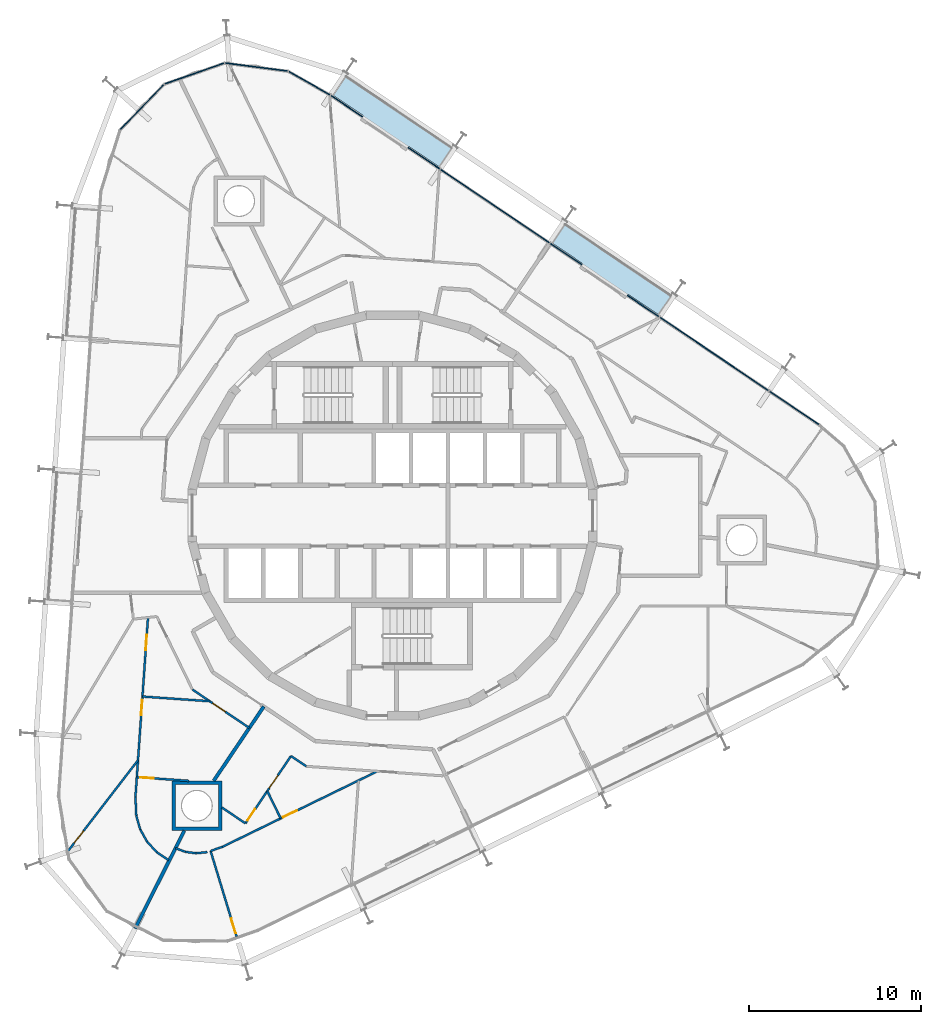
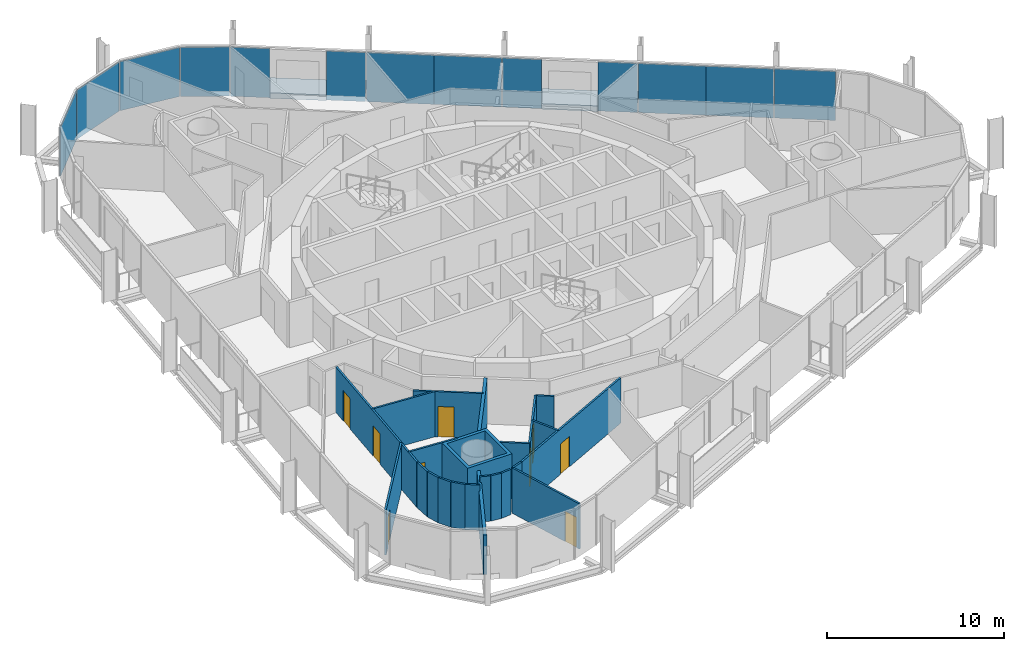
# One storey, part 11 of 18: 23 walls, 13 plates, 9 doors, 2 slabs, 9 openings, 3 elements without a shape of their own.
"""IFC4 building model written with IfcOpenShell, lengths in metres."""

from ifc_helpers import new_model, si_unit, direction, frame, frame_2d, origin, origin_2d, place, context, subcontext, project, spatial, polyline, rectangle, outline, extrude, material, layer, layer_set, type_object, element, fill, aggregate, save


model = new_model("IFC4")

# Units and contexts
model_context = context("Model", 3, precision=1e-05, world=origin(), true_north=direction((0.0, 1.0)))
body_context = subcontext(model_context, "Body", "Model", "MODEL_VIEW")
ifc_project = project(units=[si_unit("LENGTHUNIT", "METRE"), si_unit("AREAUNIT", "SQUARE_METRE"), si_unit("VOLUMEUNIT", "CUBIC_METRE"), si_unit("PLANEANGLEUNIT", "RADIAN"), si_unit("MASSUNIT", "GRAM", prefix="KILO")], contexts=[model_context])

# Site, building, storey
site_placement = place(None, origin())
site = spatial("IfcSite", under=ifc_project, at=site_placement, CompositionType="ELEMENT")
building_placement = place(site_placement, origin())
building = spatial("IfcBuilding", under=site, at=building_placement, Name="Spindle Arch Residences", CompositionType="ELEMENT")
storey_placement = place(building_placement, frame((0.0, 0.0, 195.39990234375)))
storey = spatial("IfcBuildingStorey", under=building, at=storey_placement, Name="L49", CompositionType="ELEMENT", Elevation=195.39990234375)

# Slabs
ifc_material_1 = material(Name="Concrete C40/50", Category="concrete")
ifc_layer_1 = layer(ifc_material_1, 0.3798828125)
ifc_layer_set_1 = layer_set([ifc_layer_1], Name="Balcony slab 380")
slab_type = type_object("IfcSlabType", Name="Balcony slab 380", PredefinedType="FLOOR", material=ifc_layer_set_1)
slab_1_placement = place(storey_placement, frame((0.0, 0.0, -0.3798828125)))
element("IfcSlab", 1, at=slab_1_placement, inside=storey, type_object=slab_type, Name="Balcony L49 bay 7", PredefinedType="FLOOR", context=body_context, shape_type="SweptSolid", body=[
    extrude(outline(polyline([(16.34228515625, 12.897216796875), (16.2802734375, 12.939208984375), (16.1962890625, 12.814697265625), (10.066650390625, 16.94921875), (10.150634765625, 17.07373046875), (10.08837890625, 17.115478515625), (9.255126953125, 15.88037109375), (11.0556640625, 14.665771484375), (10.96630859375, 14.533203125), (13.619140625, 12.74365234375), (13.70849609375, 12.87646484375), (15.50927734375, 11.661865234375), (16.34228515625, 12.897216796875)])), origin(), (0.0, 0.0, 1.0), 0.3798828125),
])
slab_2_placement = place(storey_placement, frame((0.0, 0.0, -0.3798828125)))
element("IfcSlab", 2, at=slab_2_placement, inside=storey, type_object=slab_type, Name="Balcony L49 bay 9", PredefinedType="FLOOR", context=body_context, shape_type="SweptSolid", body=[
    extrude(outline(polyline([(3.585693359375, 21.501708984375), (3.5234375, 21.543701171875), (3.439453125, 21.419189453125), (-2.690185546875, 25.5537109375), (-2.606201171875, 25.67822265625), (-2.66845703125, 25.719970703125), (-3.501708984375, 24.48486328125), (-1.701171875, 23.270263671875), (-1.79052734375, 23.1376953125), (0.8623046875, 21.348388671875), (0.951904296875, 21.48095703125), (2.75244140625, 20.266357421875), (3.585693359375, 21.501708984375)])), origin(), (0.0, 0.0, 1.0), 0.3798828125),
])

# Curtain wall, plate
ifc_material_2 = material(Name="Aluminium bronze unitised frame with tinted glass", Category="aluminium")
ifc_layer_2 = layer(ifc_material_2, 0.159912109375)
ifc_layer_set_2 = layer_set([ifc_layer_2], Name="CW-D corner wall on the fillet arcs")
curtain_wall_type_1 = type_object("IfcCurtainWallType", Name="CW-D corner wall on the fillet arcs", PredefinedType="NOTDEFINED", material=ifc_layer_set_2)
curtain_wall_1_placement = place(storey_placement, origin())
curtain_wall_1 = element("IfcCurtainWall", 3, at=curtain_wall_1_placement, inside=storey, type_object=curtain_wall_type_1, Name="CW-D L49 run 1", PredefinedType="NOTDEFINED")
ifc_material_3 = material(Name="Tinted double glazing over aluminium faced non-combustible spandrel zone (K0)", Category="aluminium")
ifc_layer_3 = layer(ifc_material_3, 0.06005859375)
ifc_layer_set_3 = layer_set([ifc_layer_3], Name="Unitised glass panel with E 60 spandrel zone")
plate_type = type_object("IfcPlateType", Name="Unitised glass panel with E 60 spandrel zone", PredefinedType="CURTAIN_PANEL", material=ifc_layer_set_3)
plate_1_placement = place(storey_placement, frame((23.36767578125, 6.264892578125, -0.3798828125), z_axis=(0.0, 0.0, 1.0), x_axis=(-0.829037572555, 0.559192903471, 0.0)))
plate_1 = element("IfcPlate", 4, at=plate_1_placement, type_object=plate_type, Name="CW-D unit 06", PredefinedType="CURTAIN_PANEL", context=body_context, shape_type="SweptSolid", body=[
    extrude(rectangle(XDim=3.468505859375, YDim=0.06005859375, at=origin_2d()), origin(), (0.0, 0.0, 1.0), 3.3798828125),
])
aggregate(curtain_wall_1, [plate_1])

# Curtain wall, plates
ifc_material_4 = material(Name="Aluminium bronze unitised frame with tinted glass", Category="aluminium")
ifc_layer_4 = layer(ifc_material_4, 0.159912109375)
ifc_layer_set_4 = layer_set([ifc_layer_4], Name="CW-C typical residential unitised wall")
curtain_wall_type_2 = type_object("IfcCurtainWallType", Name="CW-C typical residential unitised wall", PredefinedType="NOTDEFINED", material=ifc_layer_set_4)
curtain_wall_2_placement = place(storey_placement, origin())
curtain_wall_2 = element("IfcCurtainWall", 5, at=curtain_wall_2_placement, inside=storey, type_object=curtain_wall_type_2, Name="CW-C L49 run 2", PredefinedType="NOTDEFINED")
plate_2_placement = place(storey_placement, frame((20.2978515625, 8.335205078125, -0.3798828125), z_axis=(0.0, 0.0, 1.0), x_axis=(-0.829037572555, 0.559192903471, 0.0)))
plate_2 = element("IfcPlate", 6, at=plate_2_placement, type_object=plate_type, Name="CW-C unit 05A", PredefinedType="CURTAIN_PANEL", context=body_context, shape_type="SweptSolid", body=[
    extrude(rectangle(XDim=3.81689453125, YDim=0.06005859375, at=origin_2d()), origin(), (0.0, 0.0, 1.0), 3.3798828125),
])
plate_3_placement = place(storey_placement, frame((17.133544921875, 10.4697265625, -0.3798828125), z_axis=(0.0, 0.0, 1.0), x_axis=(-0.829037572555, 0.559192903471, 0.0)))
plate_3 = element("IfcPlate", 7, at=plate_3_placement, type_object=plate_type, Name="CW-C unit 05B", PredefinedType="CURTAIN_PANEL", context=body_context, shape_type="SweptSolid", body=[
    extrude(rectangle(XDim=3.81689453125, YDim=0.06005859375, at=origin_2d()), origin(), (0.0, 0.0, 1.0), 3.3798828125),
])
plate_4_placement = place(storey_placement, frame((14.582763671875, 12.190185546875, -0.3798828125), z_axis=(0.0, 0.0, 1.0), x_axis=(-0.829037572555, 0.559192903471, 0.0)))
plate_4 = element("IfcPlate", 8, at=plate_4_placement, type_object=plate_type, Name="CW-C unit 06L", PredefinedType="CURTAIN_PANEL", context=body_context, shape_type="SweptSolid", body=[
    extrude(rectangle(XDim=2.216796875, YDim=0.06005859375, at=origin_2d()), origin(), (0.0, 0.0, 1.0), 3.3798828125),
])
plate_5_placement = place(storey_placement, frame((10.092041015625, 15.21923828125, -0.3798828125), z_axis=(0.0, 0.0, 1.0), x_axis=(-0.829037572555, 0.559192903471, 0.0)))
plate_5 = element("IfcPlate", 9, at=plate_5_placement, type_object=plate_type, Name="CW-C unit 06R", PredefinedType="CURTAIN_PANEL", context=body_context, shape_type="SweptSolid", body=[
    extrude(rectangle(XDim=2.216796875, YDim=0.06005859375, at=origin_2d()), origin(), (0.0, 0.0, 1.0), 3.3798828125),
])
plate_6_placement = place(storey_placement, frame((7.541259765625, 16.93994140625, -0.3798828125), z_axis=(0.0, 0.0, 1.0), x_axis=(-0.829037572555, 0.559192903471, 0.0)))
plate_6 = element("IfcPlate", 10, at=plate_6_placement, type_object=plate_type, Name="CW-C unit 07A", PredefinedType="CURTAIN_PANEL", context=body_context, shape_type="SweptSolid", body=[
    extrude(rectangle(XDim=3.81689453125, YDim=0.06005859375, at=origin_2d()), origin(), (0.0, 0.0, 1.0), 3.3798828125),
])
plate_7_placement = place(storey_placement, frame((4.376953125, 19.07421875, -0.3798828125), z_axis=(0.0, 0.0, 1.0), x_axis=(-0.829037572555, 0.559192903471, 0.0)))
plate_7 = element("IfcPlate", 11, at=plate_7_placement, type_object=plate_type, Name="CW-C unit 07B", PredefinedType="CURTAIN_PANEL", context=body_context, shape_type="SweptSolid", body=[
    extrude(rectangle(XDim=3.81689453125, YDim=0.06005859375, at=origin_2d()), origin(), (0.0, 0.0, 1.0), 3.3798828125),
])
plate_8_placement = place(storey_placement, frame((1.825927734375, 20.794677734375, -0.3798828125), z_axis=(0.0, 0.0, 1.0), x_axis=(-0.829037572555, 0.559192903471, 0.0)))
plate_8 = element("IfcPlate", 12, at=plate_8_placement, type_object=plate_type, Name="CW-C unit 08L", PredefinedType="CURTAIN_PANEL", context=body_context, shape_type="SweptSolid", body=[
    extrude(rectangle(XDim=2.216796875, YDim=0.06005859375, at=origin_2d()), origin(), (0.0, 0.0, 1.0), 3.3798828125),
])
plate_9_placement = place(storey_placement, frame((-2.664794921875, 23.82373046875, -0.3798828125), z_axis=(0.0, 0.0, 1.0), x_axis=(-0.829037572555, 0.559192903471, 0.0)))
plate_9 = element("IfcPlate", 13, at=plate_9_placement, type_object=plate_type, Name="CW-C unit 08R", PredefinedType="CURTAIN_PANEL", context=body_context, shape_type="SweptSolid", body=[
    extrude(rectangle(XDim=2.216796875, YDim=0.06005859375, at=origin_2d()), origin(), (0.0, 0.0, 1.0), 3.3798828125),
])
aggregate(curtain_wall_2, [plate_2, plate_3, plate_4, plate_5, plate_6, plate_7, plate_8, plate_9])

curtain_wall_3_placement = place(storey_placement, origin())
curtain_wall_3 = element("IfcCurtainWall", 14, at=curtain_wall_3_placement, inside=storey, type_object=curtain_wall_type_1, Name="CW-D L49 run 3", PredefinedType="NOTDEFINED")
plate_10_placement = place(storey_placement, frame((-4.84130859375, 25.16064453125, -0.3798828125), z_axis=(0.0, 0.0, 1.0), x_axis=(-0.86953871595, 0.493864780547, 0.0)))
plate_10 = element("IfcPlate", 15, at=plate_10_placement, type_object=plate_type, Name="CW-D unit 00", PredefinedType="CURTAIN_PANEL", context=body_context, shape_type="SweptSolid", body=[
    extrude(rectangle(XDim=2.775634765625, YDim=0.06005859375, at=origin_2d()), origin(), (0.0, 0.0, 1.0), 3.3798828125),
])
plate_11_placement = place(storey_placement, frame((-7.92236328125, 26.0986328125, -0.3798828125), z_axis=(0.0, 0.0, 1.0), x_axis=(-0.991820351023, 0.127641651888, 0.0)))
plate_11 = element("IfcPlate", 16, at=plate_11_placement, type_object=plate_type, Name="CW-D unit 01", PredefinedType="CURTAIN_PANEL", context=body_context, shape_type="SweptSolid", body=[
    extrude(rectangle(XDim=3.666748046875, YDim=0.06005859375, at=origin_2d()), origin(), (0.0, 0.0, 1.0), 3.3798828125),
])
plate_12_placement = place(storey_placement, frame((-11.52880859375, 25.7197265625, -0.3798828125), z_axis=(0.0, 0.0, 1.0), x_axis=(-0.943608508302, -0.331063412445, 0.0)))
plate_12 = element("IfcPlate", 17, at=plate_12_placement, type_object=plate_type, Name="CW-D unit 02", PredefinedType="CURTAIN_PANEL", context=body_context, shape_type="SweptSolid", body=[
    extrude(rectangle(XDim=3.666748046875, YDim=0.06005859375, at=origin_2d()), origin(), (0.0, 0.0, 1.0), 3.3798828125),
])
plate_13_placement = place(storey_placement, frame((-14.58154296875, 23.762451171875, -0.3798828125), z_axis=(0.0, 0.0, 1.0), x_axis=(-0.694658368802, -0.719339801939, 0.0)))
plate_13 = element("IfcPlate", 18, at=plate_13_placement, type_object=plate_type, Name="CW-D unit 03", PredefinedType="CURTAIN_PANEL", context=body_context, shape_type="SweptSolid", body=[
    extrude(rectangle(XDim=3.666748046875, YDim=0.06005859375, at=origin_2d()), origin(), (0.0, 0.0, 1.0), 3.3798828125),
])
aggregate(curtain_wall_3, [plate_10, plate_11, plate_12, plate_13])

# Wall, opening, door
ifc_material_5 = material(Name="Plasterboard on steel studs", Category="steel")
ifc_layer_5 = layer(ifc_material_5, 0.1201171875)
ifc_layer_set_5 = layer_set([ifc_layer_5], Name="Flat partition 120")
wall_type_1 = type_object("IfcWallType", Name="Flat partition 120", PredefinedType="PARTITIONING", material=ifc_layer_set_5)
wall_1_placement = place(storey_placement, frame((-11.641845703125, -10.1201171875, 0.0), z_axis=(0.0, 0.0, 1.0), x_axis=(0.829018066952, -0.559221820629, 0.0)))
wall_1 = element("IfcWall", 19, at=wall_1_placement, inside=storey, type_object=wall_type_1, Name="Flat partition R5A0-W074", PredefinedType="PARTITIONING", context=body_context, shape_type="SweptSolid", body=[
    extrude(rectangle(XDim=3.992431640625, YDim=0.1201171875, at=frame_2d((1.99609375, 0.0))), origin(), (0.0, 0.0, 1.0), 3.1201171875),
])
opening_1_placement = place(wall_1_placement, frame((1.4169921875, 0.0, 0.0)))
opening_1 = element("IfcOpeningElement", 20, at=opening_1_placement, cuts=wall_1, Name="Opening R5A0-ID16", PredefinedType="OPENING", context=body_context, shape_type="SweptSolid", body=[
    extrude(rectangle(XDim=0.89990234375, YDim=2.10009765625, at=frame_2d((0.449951171875, 1.050048828125))), frame((0.0, 0.070068359375, 0.0), z_axis=(0.0, -1.0, 0.0), x_axis=(1.0, 0.0, 0.0)), (0.0, 0.0, 1.0), 0.14013671875),
])
ifc_material_6 = material(Name="Timber door set", Category="wood")
door_type_1 = type_object("IfcDoorType", Name="Room door 900x2100", OperationType="NOTDEFINED", PredefinedType="DOOR", material=ifc_material_6)
door_1_placement = place(opening_1_placement, origin())
door_1 = element("IfcDoor", 21, at=door_1_placement, inside=storey, type_object=door_type_1, Name="Room door R5A0-ID16", OperationType="SINGLE_SWING_RIGHT", OverallHeight=2.10009765625, OverallWidth=0.89990234375, PredefinedType="DOOR", context=body_context, shape_type="SweptSolid", body=[
    extrude(rectangle(XDim=0.89990234375, YDim=2.10009765625, at=frame_2d((0.449951171875, 1.050048828125))), frame((0.0, 0.02490234375, 0.0), z_axis=(0.0, -1.0, 0.0), x_axis=(1.0, 0.0, 0.0)), (0.0, 0.0, 1.0), 0.050048828125),
])
fill(opening_1, door_1)

# Wall, openings, doors
wall_2_placement = place(storey_placement, frame((-14.22900390625, -5.9287109375, 0.0), z_axis=(0.0, 0.0, 1.0), x_axis=(-0.069740723375, -0.997565151508, 0.0)))
wall_2 = element("IfcWall", 22, at=wall_2_placement, inside=storey, type_object=wall_type_1, Name="Flat partition R5A0-W076", PredefinedType="PARTITIONING", context=body_context, shape_type="SweptSolid", body=[
    extrude(rectangle(XDim=10.470458984375, YDim=0.1201171875, at=frame_2d((5.2353515625, 0.0))), origin(), (0.0, 0.0, 1.0), 3.1201171875),
])
opening_2_placement = place(wall_2_placement, frame((4.809326171875, 0.0, 0.0)))
opening_2 = element("IfcOpeningElement", 23, at=opening_2_placement, cuts=wall_2, Name="Opening R5A0-ID17", PredefinedType="OPENING", context=body_context, shape_type="SweptSolid", body=[
    extrude(rectangle(XDim=0.89990234375, YDim=2.10009765625, at=frame_2d((0.449951171875, 1.050048828125))), frame((0.0, 0.070068359375, 0.0), z_axis=(0.0, -1.0, 0.0), x_axis=(1.0, 0.0, 0.0)), (0.0, 0.0, 1.0), 0.14013671875),
])
opening_3_placement = place(wall_2_placement, frame((1.0, 0.0, 0.0)))
opening_3 = element("IfcOpeningElement", 24, at=opening_3_placement, cuts=wall_2, Name="Opening R5A0-ID19", PredefinedType="OPENING", context=body_context, shape_type="SweptSolid", body=[
    extrude(rectangle(XDim=0.89990234375, YDim=2.10009765625, at=frame_2d((0.449951171875, 1.050048828125))), frame((0.0, 0.070068359375, 0.0), z_axis=(0.0, -1.0, 0.0), x_axis=(1.0, 0.0, 0.0)), (0.0, 0.0, 1.0), 0.14013671875),
])
door_2_placement = place(opening_2_placement, origin())
door_2 = element("IfcDoor", 25, at=door_2_placement, inside=storey, type_object=door_type_1, Name="Room door R5A0-ID17", OperationType="SINGLE_SWING_RIGHT", OverallHeight=2.10009765625, OverallWidth=0.89990234375, PredefinedType="DOOR", context=body_context, shape_type="SweptSolid", body=[
    extrude(rectangle(XDim=0.89990234375, YDim=2.10009765625, at=frame_2d((0.449951171875, 1.050048828125))), frame((0.0, 0.02490234375, 0.0), z_axis=(0.0, -1.0, 0.0), x_axis=(1.0, 0.0, 0.0)), (0.0, 0.0, 1.0), 0.050048828125),
])
fill(opening_2, door_2)
door_3_placement = place(opening_3_placement, origin())
door_3 = element("IfcDoor", 26, at=door_3_placement, inside=storey, type_object=door_type_1, Name="Room door R5A0-ID19", OperationType="SINGLE_SWING_LEFT", OverallHeight=2.10009765625, OverallWidth=0.89990234375, PredefinedType="DOOR", context=body_context, shape_type="SweptSolid", body=[
    extrude(rectangle(XDim=0.89990234375, YDim=2.10009765625, at=frame_2d((0.449951171875, 1.050048828125))), frame((0.0, 0.02490234375, 0.0), z_axis=(0.0, -1.0, 0.0), x_axis=(1.0, 0.0, 0.0)), (0.0, 0.0, 1.0), 0.050048828125),
])
fill(opening_3, door_3)

# Wall
wall_3_placement = place(storey_placement, frame((-14.550537109375, -10.526611328125, 0.0), z_axis=(0.0, 0.0, 1.0), x_axis=(0.997564247633, -0.069753651118, 0.0)))
element("IfcWall", 27, at=wall_3_placement, inside=storey, type_object=wall_type_1, Name="Flat partition R5A0-W077", PredefinedType="PARTITIONING", context=body_context, shape_type="SweptSolid", body=[
    extrude(rectangle(XDim=3.927001953125, YDim=0.1201171875, at=frame_2d((1.96337890625, 0.0))), origin(), (0.0, 0.0, 1.0), 3.1201171875),
])

# Wall, opening, door
wall_4_placement = place(storey_placement, frame((-18.892333984375, -19.530517578125, 0.0), z_axis=(0.0, 0.0, 1.0), x_axis=(0.610326128317, 0.792150249065, 0.0)))
wall_4 = element("IfcWall", 28, at=wall_4_placement, inside=storey, type_object=wall_type_1, Name="Flat partition R5A0-W078", PredefinedType="PARTITIONING", context=body_context, shape_type="SweptSolid", body=[
    extrude(rectangle(XDim=6.689453125, YDim=0.1201171875, at=frame_2d((3.3447265625, 0.0))), origin(), (0.0, 0.0, 1.0), 3.1201171875),
])
opening_4_placement = place(wall_4_placement, frame((0.60009765625, 0.0, 0.0)))
opening_4 = element("IfcOpeningElement", 29, at=opening_4_placement, cuts=wall_4, Name="Opening R5A0-ID18", PredefinedType="OPENING", context=body_context, shape_type="SweptSolid", body=[
    extrude(rectangle(XDim=0.89990234375, YDim=2.10009765625, at=frame_2d((0.449951171875, 1.050048828125))), frame((0.0, 0.070068359375, 0.0), z_axis=(0.0, -1.0, 0.0), x_axis=(1.0, 0.0, 0.0)), (0.0, 0.0, 1.0), 0.14013671875),
])
door_4_placement = place(opening_4_placement, origin())
door_4 = element("IfcDoor", 30, at=door_4_placement, inside=storey, type_object=door_type_1, Name="Room door R5A0-ID18", OperationType="SINGLE_SWING_RIGHT", OverallHeight=2.10009765625, OverallWidth=0.89990234375, PredefinedType="DOOR", context=body_context, shape_type="SweptSolid", body=[
    extrude(rectangle(XDim=0.89990234375, YDim=2.10009765625, at=frame_2d((0.449951171875, 1.050048828125))), frame((0.0, 0.02490234375, 0.0), z_axis=(0.0, -1.0, 0.0), x_axis=(1.0, 0.0, 0.0)), (0.0, 0.0, 1.0), 0.050048828125),
])
fill(opening_4, door_4)

wall_5_placement = place(storey_placement, frame((-14.878662109375, -15.218505859375, 0.0), z_axis=(0.0, 0.0, 1.0), x_axis=(0.997566012813, -0.069728402248, 0.0)))
wall_5 = element("IfcWall", 31, at=wall_5_placement, inside=storey, type_object=wall_type_1, Name="Flat partition R5A0-W079", PredefinedType="PARTITIONING", context=body_context, shape_type="SweptSolid", body=[
    extrude(rectangle(XDim=3.0390625, YDim=0.1201171875, at=frame_2d((1.51953125, 0.0))), origin(), (0.0, 0.0, 1.0), 3.1201171875),
])
opening_5_placement = place(wall_5_placement, frame((0.199951171875, 0.0, 0.0)))
opening_5 = element("IfcOpeningElement", 32, at=opening_5_placement, cuts=wall_5, Name="Opening R5A0-BD04", PredefinedType="OPENING", context=body_context, shape_type="SweptSolid", body=[
    extrude(rectangle(XDim=0.800048828125, YDim=2.10009765625, at=frame_2d((0.39990234375, 1.050048828125))), frame((0.0, 0.070068359375, 0.0), z_axis=(0.0, -1.0, 0.0), x_axis=(1.0, 0.0, 0.0)), (0.0, 0.0, 1.0), 0.14013671875),
])
ifc_material_7 = material(Name="Timber door set", Category="wood")
door_type_2 = type_object("IfcDoorType", Name="Bathroom door 800x2100", OperationType="NOTDEFINED", PredefinedType="DOOR", material=ifc_material_7)
door_5_placement = place(opening_5_placement, origin())
door_5 = element("IfcDoor", 33, at=door_5_placement, inside=storey, type_object=door_type_2, Name="Bathroom door R5A0-BD04", OperationType="SINGLE_SWING_RIGHT", OverallHeight=2.10009765625, OverallWidth=0.800048828125, PredefinedType="DOOR", context=body_context, shape_type="SweptSolid", body=[
    extrude(rectangle(XDim=0.800048828125, YDim=2.10009765625, at=frame_2d((0.39990234375, 1.050048828125))), frame((0.0, 0.02490234375, 0.0), z_axis=(0.0, -1.0, 0.0), x_axis=(1.0, 0.0, 0.0)), (0.0, 0.0, 1.0), 0.050048828125),
])
fill(opening_5, door_5)

# Walls
for number, where, z_axis, x_axis, name in (
    (34, (-13.025390625, -20.052001953125, 0.0), (0.0, 0.0, 1.0), (-0.828910137223, 0.559381787699, 0.0), "Flat partition R5A0-W080"),
    (35, (-13.71240234375, -19.58837890625, 0.0), (0.0, 0.0, 1.0), (-0.677802814739, 0.735243731243, 0.0), "Flat partition R5A0-W081"),
):
    element("IfcWall", number, at=place(storey_placement, frame(where, z_axis=z_axis, x_axis=x_axis)), inside=storey, type_object=wall_type_1, Name=name, PredefinedType="PARTITIONING", context=body_context, shape_type="SweptSolid", body=[
        extrude(rectangle(XDim=0.828857421875, YDim=0.1201171875, at=frame_2d((0.41455078125, 0.0))), origin(), (0.0, 0.0, 1.0), 3.1201171875),
    ])
wall_6_placement = place(storey_placement, frame((-14.274169921875, -18.97900390625, 0.0), z_axis=(0.0, 0.0, 1.0), x_axis=(-0.490037513137, 0.871701345484, 0.0)))
element("IfcWall", 36, at=wall_6_placement, inside=storey, type_object=wall_type_1, Name="Flat partition R5A0-W082", PredefinedType="PARTITIONING", context=body_context, shape_type="SweptSolid", body=[
    extrude(rectangle(XDim=0.8291015625, YDim=0.1201171875, at=frame_2d((0.41455078125, 0.0))), origin(), (0.0, 0.0, 1.0), 3.1201171875),
])
wall_7_placement = place(storey_placement, frame((-14.680419921875, -18.25634765625, 0.0), z_axis=(0.0, 0.0, 1.0), x_axis=(-0.275382358468, 0.961334778651, 0.0)))
element("IfcWall", 37, at=wall_7_placement, inside=storey, type_object=wall_type_1, Name="Flat partition R5A0-W083", PredefinedType="PARTITIONING", context=body_context, shape_type="SweptSolid", body=[
    extrude(rectangle(XDim=0.828857421875, YDim=0.1201171875, at=frame_2d((0.41455078125, 0.0))), origin(), (0.0, 0.0, 1.0), 3.1201171875),
])
wall_8_placement = place(storey_placement, frame((-14.90869140625, -17.45947265625, 0.0), z_axis=(0.0, 0.0, 1.0), x_axis=(-0.046497887649, 0.99891838828, 0.0)))
element("IfcWall", 38, at=wall_8_placement, inside=storey, type_object=wall_type_1, Name="Flat partition R5A0-W084", PredefinedType="PARTITIONING", context=body_context, shape_type="SweptSolid", body=[
    extrude(rectangle(XDim=1.0869140625, YDim=0.1201171875, at=frame_2d((0.54345703125, 0.0))), origin(), (0.0, 0.0, 1.0), 3.1201171875),
])
wall_9_placement = place(storey_placement, frame((-9.93603515625, -16.976318359375, 0.0), z_axis=(0.0, 0.0, 1.0), x_axis=(0.829057888835, -0.559162782167, 0.0)))
element("IfcWall", 39, at=wall_9_placement, inside=storey, type_object=wall_type_1, Name="Flat partition R5A0-W085", PredefinedType="PARTITIONING", context=body_context, shape_type="SweptSolid", body=[
    extrude(rectangle(XDim=1.66357421875, YDim=0.1201171875, at=frame_2d((0.831787109375, 0.0))), origin(), (0.0, 0.0, 1.0), 3.1201171875),
])

# Wall, openings, doors
wall_10_placement = place(storey_placement, frame((-8.556884765625, -17.906494140625, 0.0), z_axis=(0.0, 0.0, 1.0), x_axis=(0.559194471553, 0.829036514868, 0.0)))
wall_10 = element("IfcWall", 40, at=wall_10_placement, inside=storey, type_object=wall_type_1, Name="Flat partition R5A0-W086", PredefinedType="PARTITIONING", context=body_context, shape_type="SweptSolid", body=[
    extrude(rectangle(XDim=4.72998046875, YDim=0.1201171875, at=frame_2d((2.364990234375, 0.0))), origin(), (0.0, 0.0, 1.0), 3.1201171875),
])
opening_6_placement = place(wall_10_placement, frame((0.199951171875, 0.0, 0.0)))
opening_6 = element("IfcOpeningElement", 41, at=opening_6_placement, cuts=wall_10, Name="Opening R5A0-BD05", PredefinedType="OPENING", context=body_context, shape_type="SweptSolid", body=[
    extrude(rectangle(XDim=0.800048828125, YDim=2.10009765625, at=frame_2d((0.39990234375, 1.050048828125))), frame((0.0, 0.070068359375, 0.0), z_axis=(0.0, -1.0, 0.0), x_axis=(1.0, 0.0, 0.0)), (0.0, 0.0, 1.0), 0.14013671875),
])
opening_7_placement = place(wall_10_placement, frame((2.47119140625, 0.0, 0.0)))
opening_7 = element("IfcOpeningElement", 42, at=opening_7_placement, cuts=wall_10, Name="Opening R5A0-ID20", PredefinedType="OPENING", context=body_context, shape_type="SweptSolid", body=[
    extrude(rectangle(XDim=0.89990234375, YDim=2.10009765625, at=frame_2d((0.449951171875, 1.050048828125))), frame((0.0, 0.070068359375, 0.0), z_axis=(0.0, -1.0, 0.0), x_axis=(1.0, 0.0, 0.0)), (0.0, 0.0, 1.0), 0.14013671875),
])
door_6_placement = place(opening_6_placement, origin())
door_6 = element("IfcDoor", 43, at=door_6_placement, inside=storey, type_object=door_type_2, Name="Bathroom door R5A0-BD05", OperationType="SINGLE_SWING_LEFT", OverallHeight=2.10009765625, OverallWidth=0.800048828125, PredefinedType="DOOR", context=body_context, shape_type="SweptSolid", body=[
    extrude(rectangle(XDim=0.800048828125, YDim=2.10009765625, at=frame_2d((0.39990234375, 1.050048828125))), frame((0.0, 0.02490234375, 0.0), z_axis=(0.0, -1.0, 0.0), x_axis=(1.0, 0.0, 0.0)), (0.0, 0.0, 1.0), 0.050048828125),
])
fill(opening_6, door_6)
door_7_placement = place(opening_7_placement, origin())
door_7 = element("IfcDoor", 44, at=door_7_placement, inside=storey, type_object=door_type_1, Name="Room door R5A0-ID20", OperationType="SINGLE_SWING_LEFT", OverallHeight=2.10009765625, OverallWidth=0.89990234375, PredefinedType="DOOR", context=body_context, shape_type="SweptSolid", body=[
    extrude(rectangle(XDim=0.89990234375, YDim=2.10009765625, at=frame_2d((0.449951171875, 1.050048828125))), frame((0.0, 0.02490234375, 0.0), z_axis=(0.0, -1.0, 0.0), x_axis=(1.0, 0.0, 0.0)), (0.0, 0.0, 1.0), 0.050048828125),
])
fill(opening_7, door_7)

# Walls
wall_11_placement = place(storey_placement, frame((-5.911865234375, -13.985107421875, 0.0), z_axis=(0.0, 0.0, 1.0), x_axis=(0.829027978444, -0.559207127062, 0.0)))
element("IfcWall", 45, at=wall_11_placement, inside=storey, type_object=wall_type_1, Name="Flat partition R5A0-W087", PredefinedType="PARTITIONING", context=body_context, shape_type="SweptSolid", body=[
    extrude(rectangle(XDim=1.0732421875, YDim=0.1201171875, at=frame_2d((0.53662109375, 0.0))), origin(), (0.0, 0.0, 1.0), 3.1201171875),
])
wall_12_placement = place(storey_placement, frame((-10.77978515625, -19.577880859375, 0.0), z_axis=(0.0, 0.0, 1.0), x_axis=(-0.994515867502, -0.104585798686, 0.0)))
element("IfcWall", 46, at=wall_12_placement, inside=storey, type_object=wall_type_1, Name="Flat partition R5A0-W089", PredefinedType="PARTITIONING", context=body_context, shape_type="SweptSolid", body=[
    extrude(rectangle(XDim=0.641845703125, YDim=0.1201171875, at=frame_2d((0.32080078125, 0.0))), origin(), (0.0, 0.0, 1.0), 3.1201171875),
])
wall_13_placement = place(storey_placement, frame((-11.418212890625, -19.64501953125, 0.0), z_axis=(0.0, 0.0, 1.0), x_axis=(-0.991802759529, 0.127778269633, 0.0)))
element("IfcWall", 47, at=wall_13_placement, inside=storey, type_object=wall_type_1, Name="Flat partition R5A0-W090", PredefinedType="PARTITIONING", context=body_context, shape_type="SweptSolid", body=[
    extrude(rectangle(XDim=0.64208984375, YDim=0.1201171875, at=frame_2d((0.321044921875, 0.0))), origin(), (0.0, 0.0, 1.0), 3.1201171875),
])
wall_14_placement = place(storey_placement, frame((-12.054931640625, -19.56298828125, 0.0), z_axis=(0.0, 0.0, 1.0), x_axis=(-0.935507243946, 0.353307509862, 0.0)))
element("IfcWall", 48, at=wall_14_placement, inside=storey, type_object=wall_type_1, Name="Flat partition R5A0-W091", PredefinedType="PARTITIONING", context=body_context, shape_type="SweptSolid", body=[
    extrude(rectangle(XDim=0.6123046875, YDim=0.1201171875, at=frame_2d((0.30615234375, 0.0))), origin(), (0.0, 0.0, 1.0), 3.1201171875),
])

# Wall, opening, door
wall_15_placement = place(storey_placement, frame((-9.071533203125, -24.4892578125, 0.0), z_axis=(0.0, 0.0, 1.0), x_axis=(-0.291025348593, 0.956715342449, 0.0)))
wall_15 = element("IfcWall", 49, at=wall_15_placement, inside=storey, type_object=wall_type_1, Name="Flat partition R5A0-W092", PredefinedType="PARTITIONING", context=body_context, shape_type="SweptSolid", body=[
    extrude(rectangle(XDim=5.20458984375, YDim=0.1201171875, at=frame_2d((2.602294921875, 0.0))), origin(), (0.0, 0.0, 1.0), 3.1201171875),
])
opening_8_placement = place(wall_15_placement, frame((0.199951171875, 0.0, 0.0)))
opening_8 = element("IfcOpeningElement", 50, at=opening_8_placement, cuts=wall_15, Name="Opening R5A0-ID23", PredefinedType="OPENING", context=body_context, shape_type="SweptSolid", body=[
    extrude(rectangle(XDim=0.89990234375, YDim=2.10009765625, at=frame_2d((0.449951171875, 1.050048828125))), frame((0.0, 0.070068359375, 0.0), z_axis=(0.0, -1.0, 0.0), x_axis=(1.0, 0.0, 0.0)), (0.0, 0.0, 1.0), 0.14013671875),
])
door_8_placement = place(opening_8_placement, origin())
door_8 = element("IfcDoor", 51, at=door_8_placement, inside=storey, type_object=door_type_1, Name="Room door R5A0-ID23", OperationType="SINGLE_SWING_LEFT", OverallHeight=2.10009765625, OverallWidth=0.89990234375, PredefinedType="DOOR", context=body_context, shape_type="SweptSolid", body=[
    extrude(rectangle(XDim=0.89990234375, YDim=2.10009765625, at=frame_2d((0.449951171875, 1.050048828125))), frame((0.0, 0.02490234375, 0.0), z_axis=(0.0, -1.0, 0.0), x_axis=(1.0, 0.0, 0.0)), (0.0, 0.0, 1.0), 0.050048828125),
])
fill(opening_8, door_8)

# Walls
wall_16_placement = place(storey_placement, frame((-6.509521484375, -17.617431640625, 0.0), z_axis=(0.0, 0.0, 1.0), x_axis=(-0.438380229518, 0.898789616299, 0.0)))
element("IfcWall", 52, at=wall_16_placement, inside=storey, type_object=wall_type_1, Name="Flat partition R5A0-W093", PredefinedType="PARTITIONING", context=body_context, shape_type="SweptSolid", body=[
    extrude(rectangle(XDim=1.773193359375, YDim=0.1201171875, at=frame_2d((0.88671875, 0.0))), origin(), (0.0, 0.0, 1.0), 3.1201171875),
])
wall_17_placement = place(storey_placement, frame((-10.586181640625, -19.510009765625, 0.0), z_axis=(0.0, 0.0, 1.0), x_axis=(0.943560277016, 0.3312008509, 0.0)))
element("IfcWall", 53, at=wall_17_placement, inside=storey, type_object=wall_type_1, Name="Flat partition R5A0-W094", PredefinedType="PARTITIONING", context=body_context, shape_type="SweptSolid", body=[
    extrude(rectangle(XDim=0.741455078125, YDim=0.1201171875, at=frame_2d((0.37060546875, 0.0))), origin(), (0.0, 0.0, 1.0), 3.1201171875),
])

# Wall, opening, door
wall_18_placement = place(storey_placement, frame((-9.886474609375, -19.264404296875, 0.0), z_axis=(0.0, 0.0, 1.0), x_axis=(0.898796326112, 0.43836647245, 0.0)))
wall_18 = element("IfcWall", 54, at=wall_18_placement, inside=storey, type_object=wall_type_1, Name="Flat partition R5A0-W095", PredefinedType="PARTITIONING", context=body_context, shape_type="SweptSolid", body=[
    extrude(rectangle(XDim=10.01416015625, YDim=0.1201171875, at=frame_2d((5.007080078125, 0.0))), origin(), (0.0, 0.0, 1.0), 3.1201171875),
])
opening_9_placement = place(wall_18_placement, frame((3.9169921875, 0.0, 0.0)))
opening_9 = element("IfcOpeningElement", 55, at=opening_9_placement, cuts=wall_18, Name="Opening R5A0-ID22", PredefinedType="OPENING", context=body_context, shape_type="SweptSolid", body=[
    extrude(rectangle(XDim=0.89990234375, YDim=2.10009765625, at=frame_2d((0.449951171875, 1.050048828125))), frame((0.0, 0.070068359375, 0.0), z_axis=(0.0, -1.0, 0.0), x_axis=(1.0, 0.0, 0.0)), (0.0, 0.0, 1.0), 0.14013671875),
])
door_9_placement = place(opening_9_placement, origin())
door_9 = element("IfcDoor", 56, at=door_9_placement, inside=storey, type_object=door_type_1, Name="Room door R5A0-ID22", OperationType="SINGLE_SWING_LEFT", OverallHeight=2.10009765625, OverallWidth=0.89990234375, PredefinedType="DOOR", context=body_context, shape_type="SweptSolid", body=[
    extrude(rectangle(XDim=0.89990234375, YDim=2.10009765625, at=frame_2d((0.449951171875, 1.050048828125))), frame((0.0, 0.02490234375, 0.0), z_axis=(0.0, -1.0, 0.0), x_axis=(1.0, 0.0, 0.0)), (0.0, 0.0, 1.0), 0.050048828125),
])
fill(opening_9, door_9)

# Walls
ifc_material_8 = material(Name="Calcium silicate block, plastered")
ifc_layer_6 = layer(ifc_material_8, 0.199951171875)
ifc_layer_set_6 = layer_set([ifc_layer_6], Name="Flat party wall 200")
wall_type_2 = type_object("IfcWallType", Name="Flat party wall 200", PredefinedType="STANDARD", material=ifc_layer_set_6)
wall_19_placement = place(storey_placement, frame((-10.40673828125, -15.430419921875, 0.0), z_axis=(0.0, 0.0, 1.0), x_axis=(0.559038328133, 0.829141813973, 0.0)))
element("IfcWall", 57, at=wall_19_placement, inside=storey, type_object=wall_type_2, Name="Flat party wall R5A0-W032", PredefinedType="STANDARD", context=body_context, shape_type="SweptSolid", body=[
    extrude(rectangle(XDim=5.211669921875, YDim=0.199951171875, at=frame_2d((2.60595703125, 0.0))), origin(), (0.0, 0.0, 1.0), 3.1201171875),
])
ifc_material_9 = material(Name="Calcium silicate block, plastered")
ifc_layer_7 = layer(ifc_material_9, 0.199951171875)
ifc_layer_set_7 = layer_set([ifc_layer_7], Name="Flat party wall 200 under beam 2730")
wall_type_3 = type_object("IfcWallType", Name="Flat party wall 200 under beam 2730", PredefinedType="STANDARD", material=ifc_layer_set_7)
wall_20_placement = place(storey_placement, frame((-14.9794921875, -24.017333984375, 0.0), z_axis=(0.0, 0.0, 1.0), x_axis=(0.449711952388, 0.893173644864, 0.0)))
element("IfcWall", 58, at=wall_20_placement, inside=storey, type_object=wall_type_3, Name="Flat party wall R5A0-W033", PredefinedType="STANDARD", context=body_context, shape_type="SweptSolid", body=[
    extrude(rectangle(XDim=6.366943359375, YDim=0.199951171875, at=frame_2d((3.18359375, 0.0))), origin(), (0.0, 0.0, 1.0), 2.72998046875),
])
ifc_material_10 = material(Name="Calcium silicate block, plastered")
ifc_layer_8 = layer(ifc_material_10, 0.199951171875)
ifc_layer_set_8 = layer_set([ifc_layer_8], Name="Mega-column casing wall 200")
wall_type_4 = type_object("IfcWallType", Name="Mega-column casing wall 200", PredefinedType="STANDARD", material=ifc_layer_set_8)
wall_21_placement = place(storey_placement, origin())
element("IfcWall", 59, at=wall_21_placement, inside=storey, type_object=wall_type_4, Name="Mega-column casing wall R5A0-WC02", PredefinedType="STANDARD", context=body_context, shape_type="SweptSolid", body=[
    extrude(outline(polyline([(-9.93603515625, -15.430419921875), (-9.93603515625, -18.33056640625), (-12.8359375, -18.33056640625), (-12.8359375, -15.430419921875), (-9.93603515625, -15.430419921875)]), holes=[polyline([(-12.635986328125, -18.130615234375), (-10.135986328125, -18.130615234375), (-10.135986328125, -15.630615234375), (-12.635986328125, -15.630615234375), (-12.635986328125, -18.130615234375)])]), origin(), (0.0, 0.0, 1.0), 3.1201171875),
])

save(model, "model.ifc")
